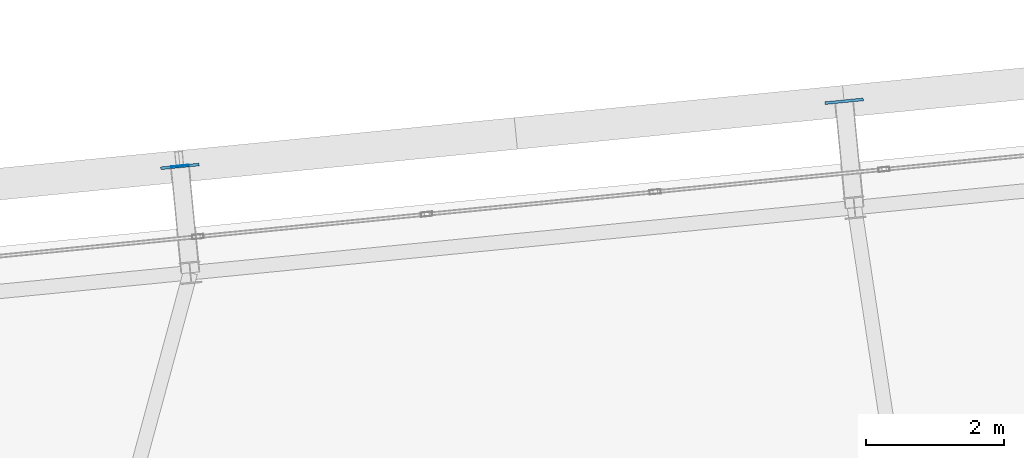
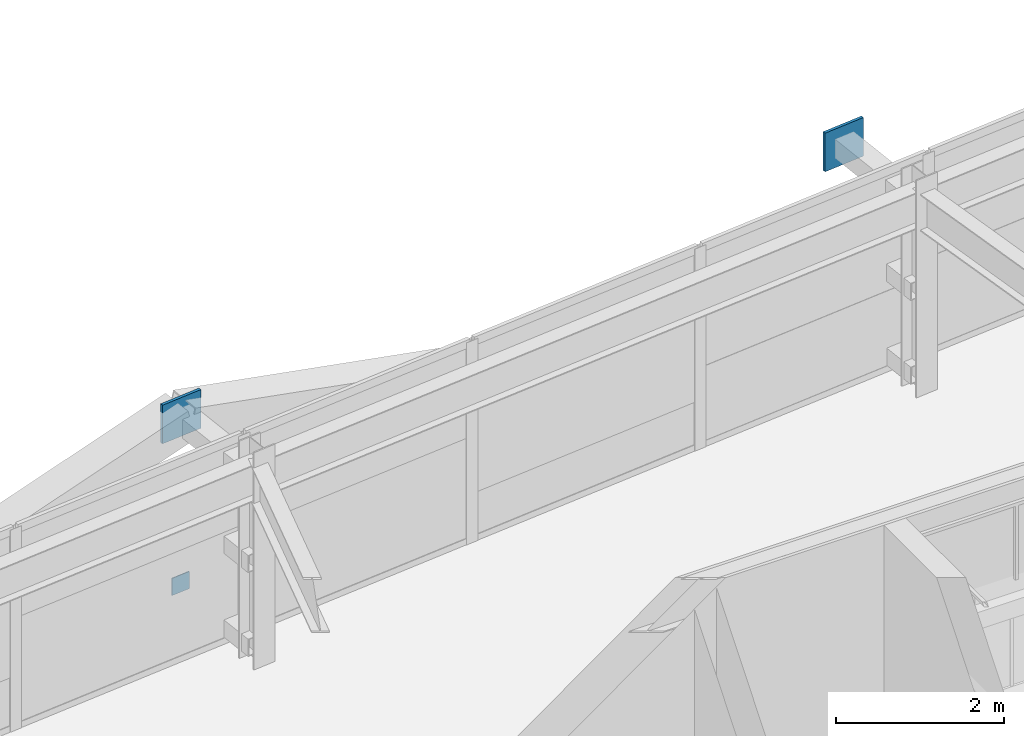
# One storey, part 44 of 52: 3 plates.
"""IFC4 building model written with IfcOpenShell, lengths in metres."""

from ifc_helpers import new_model, si_unit, direction, frame, origin, origin_2d, place, context, subcontext, project, spatial, rectangle, extrude, source, transform, mapped, material, layer, layer_set, type_object, element, save


model = new_model("IFC4")

# Units and contexts
model_context = context("Model", 3, precision=1e-05, world=origin(), true_north=direction((0.0, 1.0)))
body_context = subcontext(model_context, "Body", "Model", "MODEL_VIEW")
ifc_project = project(units=[si_unit("LENGTHUNIT", "METRE"), si_unit("AREAUNIT", "SQUARE_METRE"), si_unit("VOLUMEUNIT", "CUBIC_METRE"), si_unit("PLANEANGLEUNIT", "RADIAN"), si_unit("MASSUNIT", "GRAM", prefix="KILO")], contexts=[model_context])

# Site, building, storey
site_placement = place(None, origin())
site = spatial("IfcSite", under=ifc_project, at=site_placement, CompositionType="ELEMENT")
building_placement = place(site_placement, origin())
building = spatial("IfcBuilding", under=site, at=building_placement, Name="Taldren Reach Tower", CompositionType="ELEMENT")
storey_placement = place(building_placement, frame((0.0, 0.0, 93.449951171875)))
storey = spatial("IfcBuildingStorey", under=building, at=storey_placement, Name="L28", CompositionType="ELEMENT", Elevation=93.449951171875)

# Plates
ifc_material_1 = material(Name="Steel Gr 450 (C450L0)", Category="steel")
ifc_layer_1 = layer(ifc_material_1, 0.0400390625)
ifc_layer_set_1 = layer_set([ifc_layer_1], Name="Steel Gr 450 (C450L0)")
plate_type_1 = type_object("IfcPlateType", Name="PL-GUSSET-40", PredefinedType="SHEET", material=ifc_layer_set_1)
shared_shape_1 = source(origin(), body_context, "Body", "SweptSolid", [
    extrude(rectangle(XDim=0.56005859375, YDim=0.0400390625, at=origin_2d()), origin(), (0.0, 0.0, 1.0), 0.56005859375),
])
for number, where, z_axis, x_axis, name in (
    (1, (40.346923828125, 38.333251953125, 2.3701171875), (0.0, 0.0, 1.0), (0.995227399982, 0.097582899759, 0.0), "Exoskeleton star-node gusset plate B2-N4 L28"),
    (2, (49.980712890625, 39.27783203125, 2.3701171875), (0.0, 0.0, 1.0), (0.995227399982, 0.097582899759, 0.0), "Exoskeleton star-node gusset plate B2-N5 L28"),
):
    element("IfcPlate", number, at=place(storey_placement, frame(where, z_axis=z_axis, x_axis=x_axis)), inside=storey, type_object=plate_type_1, Name=name, PredefinedType="SHEET", context=body_context, shape_type="MappedRepresentation", body=[
        mapped(shared_shape_1, transform((0.0, 0.0, 0.0), scale=1.0)),
    ])
ifc_material_2 = material(Name="Steel Gr 350 (C350L0)", Category="steel")
ifc_layer_2 = layer(ifc_material_2, 0.011962890625)
ifc_layer_set_2 = layer_set([ifc_layer_2], Name="Steel Gr 350 (C350L0)")
plate_type_2 = type_object("IfcPlateType", Name="PL-CAP-250", PredefinedType="SHEET", material=ifc_layer_set_2)
shared_shape_2 = source(origin(), body_context, "Body", "SweptSolid", [
    extrude(rectangle(XDim=0.25, YDim=0.011962890625, at=origin_2d()), origin(), (0.0, 0.0, 1.0), 0.25),
])
plate_placement = place(storey_placement, frame((40.346435546875, 38.33935546875, 0.094970703125), z_axis=(0.0, 0.0, 1.0), x_axis=(0.995227399982, 0.097582899759, 0.0)))
element("IfcPlate", 3, at=plate_placement, inside=storey, type_object=plate_type_2, Name="Tie strut end cap plate B2-N4 L28", PredefinedType="SHEET", context=body_context, shape_type="MappedRepresentation", body=[
    mapped(shared_shape_2, transform((0.0, 0.0, 0.0), scale=1.0)),
])

save(model, "model.ifc")
